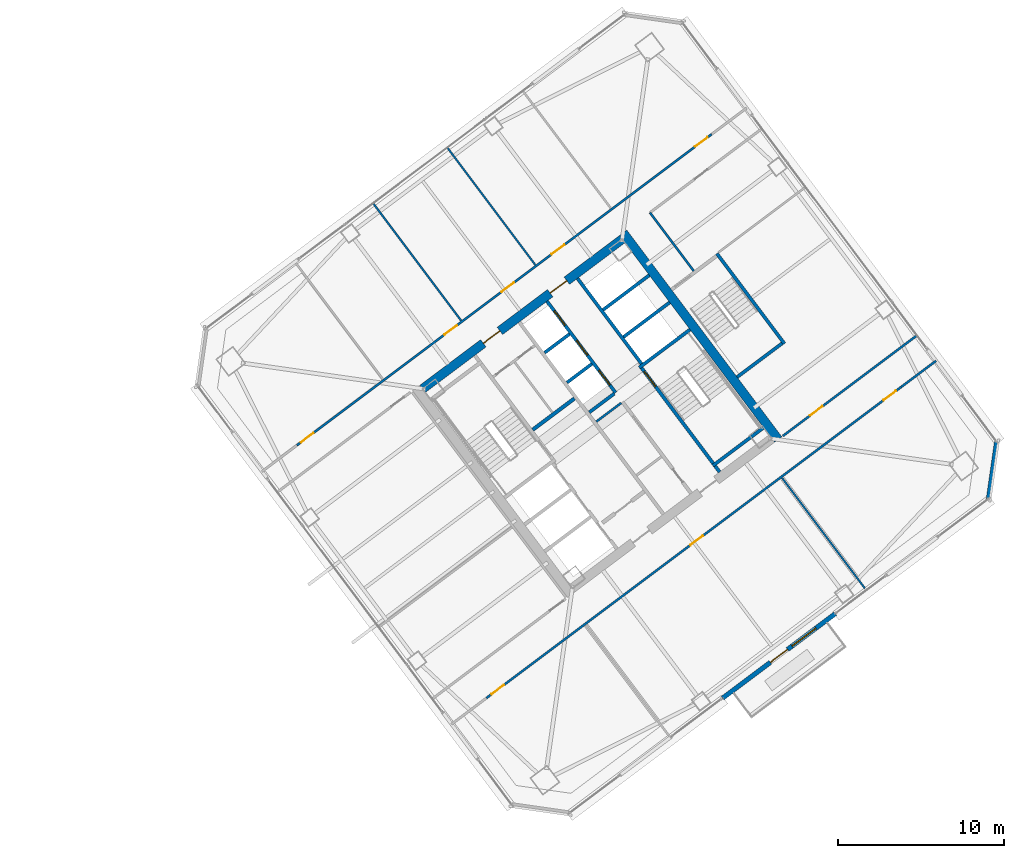
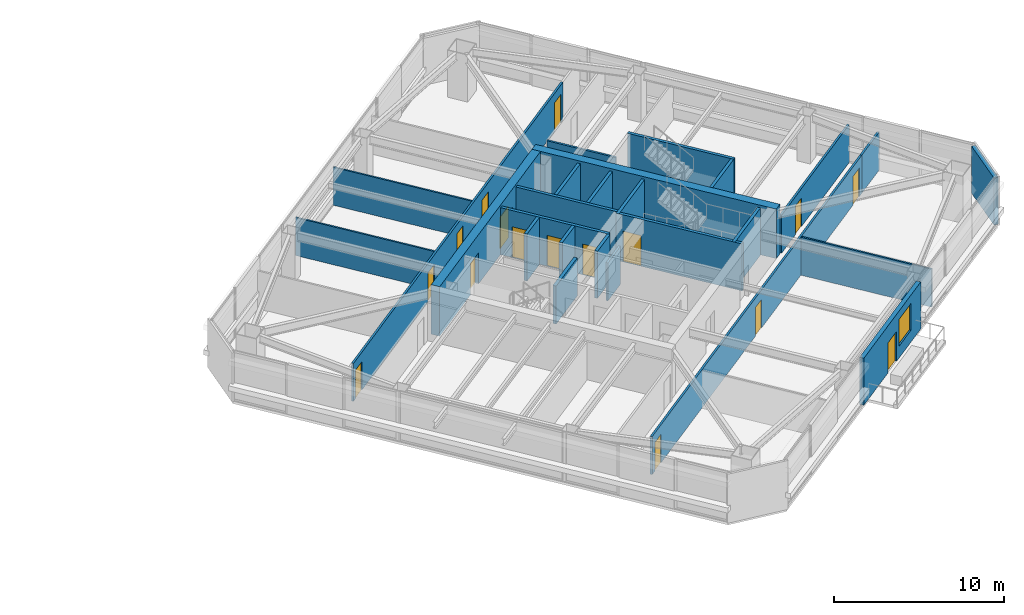
# One storey, part 39 of 46: 26 walls, 16 doors, 1 window, 17 openings.
"""IFC4 building model written with IfcOpenShell, lengths in metres."""

from ifc_helpers import new_model, si_unit, direction, frame, frame_2d, origin, place, context, subcontext, project, spatial, rectangle, extrude, material, layer, layer_set, type_object, element, fill, save


model = new_model("IFC4")

# Units and contexts
model_context = context("Model", 3, precision=1e-05, world=origin(), true_north=direction((0.0, 1.0)))
body_context = subcontext(model_context, "Body", "Model", "MODEL_VIEW")
ifc_project = project(units=[si_unit("LENGTHUNIT", "METRE"), si_unit("AREAUNIT", "SQUARE_METRE"), si_unit("VOLUMEUNIT", "CUBIC_METRE"), si_unit("PLANEANGLEUNIT", "RADIAN"), si_unit("MASSUNIT", "GRAM", prefix="KILO")], contexts=[model_context])

# Site, building, storey
site_placement = place(None, origin())
site = spatial("IfcSite", under=ifc_project, at=site_placement, CompositionType="ELEMENT")
building_placement = place(site_placement, origin())
building = spatial("IfcBuilding", under=site, at=building_placement, Name="Tashvorn Skyway Center", CompositionType="ELEMENT")
storey_placement = place(building_placement, frame((0.0, 0.0, 139.25)))
storey = spatial("IfcBuildingStorey", under=building, at=storey_placement, Name="L37", CompositionType="ELEMENT", Elevation=139.25)

# Wall
ifc_material_1 = material(Name="Concrete C60/75", Category="concrete")
ifc_layer_1 = layer(ifc_material_1, 0.550048828125)
ifc_layer_set_1 = layer_set([ifc_layer_1], Name="Concrete C60/75")
wall_type_1 = type_object("IfcWallType", Name="WALL-CORE-550", PredefinedType="SHEAR", material=ifc_layer_set_1)
wall_1_placement = place(storey_placement, frame((115.56396484375, 42.923095703125, 0.0), z_axis=(0.0, 0.0, 1.0), x_axis=(0.600005007985, -0.799996243986, 0.0)))
element("IfcWall", 1, at=wall_1_placement, inside=storey, type_object=wall_type_1, Name="Tower 2 L37 East Core Shear Wall", PredefinedType="SHEAR", context=body_context, shape_type="SweptSolid", body=[
    extrude(rectangle(XDim=15.60009765625, YDim=0.550048828125, at=frame_2d((7.800048828125, 0.0))), origin(), (0.0, 0.0, 1.0), 3.550048828125),
])

# Wall, openings, doors
wall_2_placement = place(storey_placement, frame((103.4609375, 33.501953125, 0.0), z_axis=(0.0, 0.0, 1.0), x_axis=(0.799998054672, 0.600002593761, 0.0)))
wall_2 = element("IfcWall", 2, at=wall_2_placement, inside=storey, type_object=wall_type_1, Name="Tower 2 L37 North Core Shear Wall", PredefinedType="SHEAR", context=body_context, shape_type="SweptSolid", body=[
    extrude(rectangle(XDim=15.06005859375, YDim=0.550048828125, at=frame_2d((7.530029296875, 0.0))), origin(), (0.0, 0.0, 1.0), 3.550048828125),
])
opening_1_placement = place(wall_2_placement, frame((4.580078125, 0.0, 0.0)))
opening_1 = element("IfcOpeningElement", 3, at=opening_1_placement, cuts=wall_2, Name="Opening D-FFL-1250", PredefinedType="OPENING", context=body_context, shape_type="SweptSolid", body=[
    extrude(rectangle(XDim=1.25, YDim=2.25, at=frame_2d((0.625, 1.125))), frame((0.0, 0.284912109375, 0.0), z_axis=(0.0, -1.0, 0.0), x_axis=(1.0, 0.0, 0.0)), (0.0, 0.0, 1.0), 0.570068359375),
])
opening_2_placement = place(wall_2_placement, frame((9.6298828125, 0.0, 0.0)))
opening_2 = element("IfcOpeningElement", 4, at=opening_2_placement, cuts=wall_2, Name="Opening D-FFL-1250", PredefinedType="OPENING", context=body_context, shape_type="SweptSolid", body=[
    extrude(rectangle(XDim=1.25, YDim=2.25, at=frame_2d((0.625, 1.125))), frame((0.0, 0.284912109375, 0.0), z_axis=(0.0, -1.0, 0.0), x_axis=(1.0, 0.0, 0.0)), (0.0, 0.0, 1.0), 0.570068359375),
])
ifc_material_2 = material(Name="Hollow galvanized steel fire door assembly", Category="steel")
door_type_1 = type_object("IfcDoorType", Name="DOOR-FFL-1250", OperationType="NOTDEFINED", PredefinedType="DOOR", material=ifc_material_2)
door_1_placement = place(opening_1_placement, origin())
door_1 = element("IfcDoor", 5, at=door_1_placement, inside=storey, type_object=door_type_1, Name="Tower 2 L37 Core North Service Lobby Door", OperationType="SINGLE_SWING_LEFT", OverallHeight=2.25, OverallWidth=1.25, PredefinedType="DOOR", context=body_context, shape_type="SweptSolid", body=[
    extrude(rectangle(XDim=1.25, YDim=2.25, at=frame_2d((0.625, 1.125))), frame((0.0, 0.02490234375, 0.0), z_axis=(0.0, -1.0, 0.0), x_axis=(1.0, 0.0, 0.0)), (0.0, 0.0, 1.0), 0.050048828125),
])
fill(opening_1, door_1)
door_2_placement = place(opening_2_placement, origin())
door_2 = element("IfcDoor", 6, at=door_2_placement, inside=storey, type_object=door_type_1, Name="Tower 2 L37 Core North Lift Lobby Door", OperationType="SINGLE_SWING_RIGHT", OverallHeight=2.25, OverallWidth=1.25, PredefinedType="DOOR", context=body_context, shape_type="SweptSolid", body=[
    extrude(rectangle(XDim=1.25, YDim=2.25, at=frame_2d((0.625, 1.125))), frame((0.0, 0.02490234375, 0.0), z_axis=(0.0, -1.0, 0.0), x_axis=(1.0, 0.0, 0.0)), (0.0, 0.0, 1.0), 0.050048828125),
])
fill(opening_2, door_2)

# Wall, openings, door, window
ifc_material_3 = material(Name="Precast concrete C40/50", Category="concrete")
ifc_layer_2 = layer(ifc_material_3, 0.280029296875)
ifc_layer_set_2 = layer_set([ifc_layer_2], Name="Precast concrete C40/50")
wall_type_2 = type_object("IfcWallType", Name="WALL-EXT-280", PredefinedType="SOLIDWALL", material=ifc_layer_set_2)
wall_3_placement = place(storey_placement, frame((128.367919921875, 19.926025390625, 0.0), z_axis=(0.0, 0.0, 1.0), x_axis=(-0.799986212866, -0.600018382406, 0.0)))
wall_3 = element("IfcWall", 7, at=wall_3_placement, inside=storey, type_object=wall_type_2, Name="Tower 2 L37 South Terrace Portal Wall", PredefinedType="SOLIDWALL", context=body_context, shape_type="SweptSolid", body=[
    extrude(rectangle(XDim=8.5, YDim=0.280029296875, at=frame_2d((4.25, 0.0))), origin(), (0.0, 0.0, 1.0), 3.3701171875),
])
opening_3_placement = place(wall_3_placement, frame((3.60009765625, 0.0, 0.0)))
opening_3 = element("IfcOpeningElement", 8, at=opening_3_placement, cuts=wall_3, Name="Opening D-TER-1300", PredefinedType="OPENING", context=body_context, shape_type="SweptSolid", body=[
    extrude(rectangle(XDim=1.300048828125, YDim=2.14990234375, at=frame_2d((0.64990234375, 1.074951171875))), frame((0.0, 0.14990234375, 0.0), z_axis=(0.0, -1.0, 0.0), x_axis=(1.0, 0.0, 0.0)), (0.0, 0.0, 1.0), 0.300048828125),
])
opening_4_placement = place(wall_3_placement, frame((1.4599609375, 0.0, 0.85009765625)))
opening_4 = element("IfcOpeningElement", 9, at=opening_4_placement, cuts=wall_3, Name="Opening WIN-1800", PredefinedType="OPENING", context=body_context, shape_type="SweptSolid", body=[
    extrude(rectangle(XDim=1.800048828125, YDim=1.919921875, at=frame_2d((0.89990234375, 0.9599609375))), frame((0.0, 0.14990234375, 0.0), z_axis=(0.0, -1.0, 0.0), x_axis=(1.0, 0.0, 0.0)), (0.0, 0.0, 1.0), 0.300048828125),
])
ifc_material_4 = material(Name="Thermally broken bronze-anodized aluminium 6063-T6", Category="aluminium")
door_type_2 = type_object("IfcDoorType", Name="DOOR-TERR-1300", OperationType="NOTDEFINED", PredefinedType="DOOR", material=ifc_material_4)
door_3_placement = place(opening_3_placement, origin())
door_3 = element("IfcDoor", 10, at=door_3_placement, inside=storey, type_object=door_type_2, Name="Tower 2 L37 Terrace Access Door", OperationType="SINGLE_SWING_RIGHT", OverallHeight=2.14990234375, OverallWidth=1.300048828125, PredefinedType="DOOR", context=body_context, shape_type="SweptSolid", body=[
    extrude(rectangle(XDim=1.300048828125, YDim=2.14990234375, at=frame_2d((0.64990234375, 1.074951171875))), frame((0.0, 0.02490234375, 0.0), z_axis=(0.0, -1.0, 0.0), x_axis=(1.0, 0.0, 0.0)), (0.0, 0.0, 1.0), 0.050048828125),
])
fill(opening_3, door_3)
ifc_material_5 = material(Name="Low-E solar-control double insulating safety glass", Category="glass")
window_type = type_object("IfcWindowType", Name="WIN-TERR-1800", PartitioningType="SINGLE_PANEL", PredefinedType="WINDOW", material=ifc_material_5)
window_placement = place(opening_4_placement, origin())
window = element("IfcWindow", 11, at=window_placement, inside=storey, type_object=window_type, Name="Tower 2 L37 Terrace Window", OverallHeight=1.919921875, OverallWidth=1.800048828125, PartitioningType="SINGLE_PANEL", PredefinedType="WINDOW", context=body_context, shape_type="SweptSolid", body=[
    extrude(rectangle(XDim=1.800048828125, YDim=1.919921875, at=frame_2d((0.89990234375, 0.9599609375))), frame((0.0, 0.030029296875, 0.0), z_axis=(0.0, -1.0, 0.0), x_axis=(1.0, 0.0, 0.0)), (0.0, 0.0, 1.0), 0.06005859375),
])
fill(opening_4, window)

# Walls
wall_4_placement = place(storey_placement, frame((138.1201171875, 30.340087890625, 0.0), z_axis=(0.0, 0.0, 1.0), x_axis=(-0.141421356237, -0.989949493661, 0.0)))
element("IfcWall", 12, at=wall_4_placement, inside=storey, type_object=wall_type_2, Name="Tower 2 L37 SE Precast Chamfer Wall", PredefinedType="SOLIDWALL", context=body_context, shape_type="SweptSolid", body=[
    extrude(rectangle(XDim=3.53564453125, YDim=0.280029296875, at=frame_2d((1.767822265625, 0.0))), origin(), (0.0, 0.0, 1.0), 3.3701171875),
])
ifc_material_6 = material(Name="Concrete C40/50", Category="concrete")
ifc_layer_3 = layer(ifc_material_6, 0.219970703125)
ifc_layer_set_3 = layer_set([ifc_layer_3], Name="Concrete C40/50")
wall_type_3 = type_object("IfcWallType", Name="WALL-FFL-220", PredefinedType="SOLIDWALL", material=ifc_layer_set_3)
wall_5_placement = place(storey_placement, frame((110.10400390625, 31.028076171875, 0.0), z_axis=(0.0, 0.0, 1.0), x_axis=(0.800018601094, 0.59997519774, 0.0)))
element("IfcWall", 13, at=wall_5_placement, inside=storey, type_object=wall_type_3, Name="Tower 2 L37 Firefighting Lobby North Wall", PredefinedType="SOLIDWALL", context=body_context, shape_type="SweptSolid", body=[
    extrude(rectangle(XDim=3.14990234375, YDim=0.219970703125, at=frame_2d((1.574951171875, 0.0))), origin(), (0.0, 0.0, 1.0), 2.722900390625),
])
ifc_material_7 = material(Name="Gypsum board on cold-formed steel stud framing", Category="steel")
ifc_layer_4 = layer(ifc_material_7, 0.110107421875)
ifc_layer_set_4 = layer_set([ifc_layer_4], Name="Gypsum board on cold-formed steel stud framing")
wall_type_4 = type_object("IfcWallType", Name="WALL-PART-110", PredefinedType="PARTITIONING", material=ifc_layer_set_4)
for number, where, z_axis, x_axis, name in (
    (14, (105.781982421875, 37.6240234375, 0.0), (0.0, 0.0, 1.0), (-0.6, 0.8, 0.0), "Tower 2 L37 North Suite Partition 2"),
    (15, (110.261962890625, 40.98388671875, 0.0), (0.0, 0.0, 1.0), (-0.6, 0.8, 0.0), "Tower 2 L37 North Suite Partition 3"),
):
    element("IfcWall", number, at=place(storey_placement, frame(where, z_axis=z_axis, x_axis=x_axis)), inside=storey, type_object=wall_type_4, Name=name, PredefinedType="PARTITIONING", context=body_context, shape_type="SweptSolid", body=[
        extrude(rectangle(XDim=8.85009765625, YDim=0.110107421875, at=frame_2d((4.425048828125, 0.0))), origin(), (0.0, 0.0, 1.0), 2.722900390625),
    ])
wall_6_placement = place(storey_placement, frame((130.157958984375, 21.4560546875, 0.0), z_axis=(0.0, 0.0, 1.0), x_axis=(-0.6, 0.8, 0.0)))
element("IfcWall", 16, at=wall_6_placement, inside=storey, type_object=wall_type_4, Name="Tower 2 L37 South Suite Partition 2", PredefinedType="PARTITIONING", context=body_context, shape_type="SweptSolid", body=[
    extrude(rectangle(XDim=8.330078125, YDim=0.110107421875, at=frame_2d((4.1650390625, 0.0))), origin(), (0.0, 0.0, 1.0), 2.722900390625),
])
ifc_layer_5 = layer(ifc_material_7, 0.135009765625)
ifc_layer_set_5 = layer_set([ifc_layer_5], Name="Gypsum board on cold-formed steel stud framing")
wall_type_5 = type_object("IfcWallType", Name="WALL-PART-135", PredefinedType="PARTITIONING", material=ifc_layer_set_5)
wall_7_placement = place(storey_placement, frame((119.823974609375, 40.617919921875, 0.0), z_axis=(0.0, 0.0, 1.0), x_axis=(-0.599982243973, 0.800013316712, 0.0)))
element("IfcWall", 17, at=wall_7_placement, inside=storey, type_object=wall_type_5, Name="Tower 2 L37 Stair 3 Access Corridor Wall", PredefinedType="PARTITIONING", context=body_context, shape_type="SweptSolid", body=[
    extrude(rectangle(XDim=4.39990234375, YDim=0.135009765625, at=frame_2d((2.199951171875, 0.0))), origin(), (0.0, 0.0, 1.0), 2.722900390625),
])

# Wall, openings, doors
wall_8_placement = place(storey_placement, frame((95.8701171875, 30.090087890625, 0.0), z_axis=(0.0, 0.0, 1.0), x_axis=(0.799997191971, 0.600003744021, 0.0)))
wall_8 = element("IfcWall", 18, at=wall_8_placement, inside=storey, type_object=wall_type_5, Name="Tower 2 L37 North Suite Wall", PredefinedType="PARTITIONING", context=body_context, shape_type="SweptSolid", body=[
    extrude(rectangle(XDim=31.2998046875, YDim=0.135009765625, at=frame_2d((15.64990234375, 0.0))), origin(), (0.0, 0.0, 1.0), 2.722900390625),
])
opening_5_placement = place(wall_8_placement, frame((0.300048828125, 0.0, 0.0)))
opening_5 = element("IfcOpeningElement", 19, at=opening_5_placement, cuts=wall_8, Name="Opening D-INT-950", PredefinedType="OPENING", context=body_context, shape_type="SweptSolid", body=[
    extrude(rectangle(XDim=0.949951171875, YDim=2.050048828125, at=frame_2d((0.47509765625, 1.02490234375))), frame((0.0, 0.077392578125, 0.0), z_axis=(0.0, -1.0, 0.0), x_axis=(1.0, 0.0, 0.0)), (0.0, 0.0, 1.0), 0.155029296875),
])
opening_6_placement = place(wall_8_placement, frame((11.1201171875, 0.0, 0.0)))
opening_6 = element("IfcOpeningElement", 20, at=opening_6_placement, cuts=wall_8, Name="Opening D-INT-950", PredefinedType="OPENING", context=body_context, shape_type="SweptSolid", body=[
    extrude(rectangle(XDim=0.949951171875, YDim=2.050048828125, at=frame_2d((0.47509765625, 1.02490234375))), frame((0.0, 0.077392578125, 0.0), z_axis=(0.0, -1.0, 0.0), x_axis=(1.0, 0.0, 0.0)), (0.0, 0.0, 1.0), 0.155029296875),
])
opening_7_placement = place(wall_8_placement, frame((15.42333984375, 0.0, 0.0)))
opening_7 = element("IfcOpeningElement", 21, at=opening_7_placement, cuts=wall_8, Name="Opening D-INT-950", PredefinedType="OPENING", context=body_context, shape_type="SweptSolid", body=[
    extrude(rectangle(XDim=0.949951171875, YDim=2.050048828125, at=frame_2d((0.47509765625, 1.02490234375))), frame((0.0, 0.077392578125, 0.0), z_axis=(0.0, -1.0, 0.0), x_axis=(1.0, 0.0, 0.0)), (0.0, 0.0, 1.0), 0.155029296875),
])
opening_8_placement = place(wall_8_placement, frame((19.22802734375, 0.0, 0.0)))
opening_8 = element("IfcOpeningElement", 22, at=opening_8_placement, cuts=wall_8, Name="Opening D-INT-950", PredefinedType="OPENING", context=body_context, shape_type="SweptSolid", body=[
    extrude(rectangle(XDim=0.949951171875, YDim=2.050048828125, at=frame_2d((0.47509765625, 1.02490234375))), frame((0.0, 0.077392578125, 0.0), z_axis=(0.0, -1.0, 0.0), x_axis=(1.0, 0.0, 0.0)), (0.0, 0.0, 1.0), 0.155029296875),
])
opening_9_placement = place(wall_8_placement, frame((30.050048828125, 0.0, 0.0)))
opening_9 = element("IfcOpeningElement", 23, at=opening_9_placement, cuts=wall_8, Name="Opening D-INT-950", PredefinedType="OPENING", context=body_context, shape_type="SweptSolid", body=[
    extrude(rectangle(XDim=0.949951171875, YDim=2.050048828125, at=frame_2d((0.47509765625, 1.02490234375))), frame((0.0, 0.077392578125, 0.0), z_axis=(0.0, -1.0, 0.0), x_axis=(1.0, 0.0, 0.0)), (0.0, 0.0, 1.0), 0.155029296875),
])
ifc_material_8 = material(Name="Solid-core architectural oak veneer door")
door_type_3 = type_object("IfcDoorType", Name="DOOR-INT-950", OperationType="NOTDEFINED", PredefinedType="DOOR", material=ifc_material_8)
door_4_placement = place(opening_5_placement, origin())
door_4 = element("IfcDoor", 24, at=door_4_placement, inside=storey, type_object=door_type_3, Name="Tower 2 L37 Research Library Door", OperationType="SINGLE_SWING_LEFT", OverallHeight=2.050048828125, OverallWidth=0.949951171875, PredefinedType="DOOR", context=body_context, shape_type="SweptSolid", body=[
    extrude(rectangle(XDim=0.949951171875, YDim=2.050048828125, at=frame_2d((0.47509765625, 1.02490234375))), frame((0.0, 0.02490234375, 0.0), z_axis=(0.0, -1.0, 0.0), x_axis=(1.0, 0.0, 0.0)), (0.0, 0.0, 1.0), 0.050048828125),
])
fill(opening_5, door_4)
door_5_placement = place(opening_6_placement, origin())
door_5 = element("IfcDoor", 25, at=door_5_placement, inside=storey, type_object=door_type_3, Name="Tower 2 L37 Research Library Door", OperationType="SINGLE_SWING_RIGHT", OverallHeight=2.050048828125, OverallWidth=0.949951171875, PredefinedType="DOOR", context=body_context, shape_type="SweptSolid", body=[
    extrude(rectangle(XDim=0.949951171875, YDim=2.050048828125, at=frame_2d((0.47509765625, 1.02490234375))), frame((0.0, 0.02490234375, 0.0), z_axis=(0.0, -1.0, 0.0), x_axis=(1.0, 0.0, 0.0)), (0.0, 0.0, 1.0), 0.050048828125),
])
fill(opening_6, door_5)
door_6_placement = place(opening_7_placement, origin())
door_6 = element("IfcDoor", 26, at=door_6_placement, inside=storey, type_object=door_type_3, Name="Tower 2 L37 Collaborative Studio Door", OperationType="SINGLE_SWING_LEFT", OverallHeight=2.050048828125, OverallWidth=0.949951171875, PredefinedType="DOOR", context=body_context, shape_type="SweptSolid", body=[
    extrude(rectangle(XDim=0.949951171875, YDim=2.050048828125, at=frame_2d((0.47509765625, 1.02490234375))), frame((0.0, 0.02490234375, 0.0), z_axis=(0.0, -1.0, 0.0), x_axis=(1.0, 0.0, 0.0)), (0.0, 0.0, 1.0), 0.050048828125),
])
fill(opening_7, door_6)
door_7_placement = place(opening_8_placement, origin())
door_7 = element("IfcDoor", 27, at=door_7_placement, inside=storey, type_object=door_type_3, Name="Tower 2 L37 Research Library Door", OperationType="SINGLE_SWING_RIGHT", OverallHeight=2.050048828125, OverallWidth=0.949951171875, PredefinedType="DOOR", context=body_context, shape_type="SweptSolid", body=[
    extrude(rectangle(XDim=0.949951171875, YDim=2.050048828125, at=frame_2d((0.47509765625, 1.02490234375))), frame((0.0, 0.02490234375, 0.0), z_axis=(0.0, -1.0, 0.0), x_axis=(1.0, 0.0, 0.0)), (0.0, 0.0, 1.0), 0.050048828125),
])
fill(opening_8, door_7)
door_8_placement = place(opening_9_placement, origin())
door_8 = element("IfcDoor", 28, at=door_8_placement, inside=storey, type_object=door_type_3, Name="Tower 2 L37 Research Library Door", OperationType="SINGLE_SWING_LEFT", OverallHeight=2.050048828125, OverallWidth=0.949951171875, PredefinedType="DOOR", context=body_context, shape_type="SweptSolid", body=[
    extrude(rectangle(XDim=0.949951171875, YDim=2.050048828125, at=frame_2d((0.47509765625, 1.02490234375))), frame((0.0, 0.02490234375, 0.0), z_axis=(0.0, -1.0, 0.0), x_axis=(1.0, 0.0, 0.0)), (0.0, 0.0, 1.0), 0.050048828125),
])
fill(opening_9, door_8)

wall_9_placement = place(storey_placement, frame((132.35205078125, 33.614013671875, 0.0), z_axis=(0.0, 0.0, 1.0), x_axis=(-0.8, -0.6, 0.0)))
wall_9 = element("IfcWall", 29, at=wall_9_placement, inside=storey, type_object=wall_type_5, Name="Tower 2 L37 South Suite Wall", PredefinedType="PARTITIONING", context=body_context, shape_type="SweptSolid", body=[
    extrude(rectangle(XDim=31.300048828125, YDim=0.135009765625, at=frame_2d((15.64990234375, 0.0))), origin(), (0.0, 0.0, 1.0), 2.722900390625),
])
opening_10_placement = place(wall_9_placement, frame((29.969970703125, 0.0, 0.0)))
opening_10 = element("IfcOpeningElement", 30, at=opening_10_placement, cuts=wall_9, Name="Opening D-INT-950", PredefinedType="OPENING", context=body_context, shape_type="SweptSolid", body=[
    extrude(rectangle(XDim=0.949951171875, YDim=2.050048828125, at=frame_2d((0.47509765625, 1.02490234375))), frame((0.0, 0.077392578125, 0.0), z_axis=(0.0, -1.0, 0.0), x_axis=(1.0, 0.0, 0.0)), (0.0, 0.0, 1.0), 0.155029296875),
])
opening_11_placement = place(wall_9_placement, frame((14.968017578125, 0.0, 0.0)))
opening_11 = element("IfcOpeningElement", 31, at=opening_11_placement, cuts=wall_9, Name="Opening D-INT-950", PredefinedType="OPENING", context=body_context, shape_type="SweptSolid", body=[
    extrude(rectangle(XDim=0.949951171875, YDim=2.050048828125, at=frame_2d((0.47509765625, 1.02490234375))), frame((0.0, 0.077392578125, 0.0), z_axis=(0.0, -1.0, 0.0), x_axis=(1.0, 0.0, 0.0)), (0.0, 0.0, 1.0), 0.155029296875),
])
opening_12_placement = place(wall_9_placement, frame((0.3798828125, 0.0, 0.0)))
opening_12 = element("IfcOpeningElement", 32, at=opening_12_placement, cuts=wall_9, Name="Opening D-INT-950", PredefinedType="OPENING", context=body_context, shape_type="SweptSolid", body=[
    extrude(rectangle(XDim=0.949951171875, YDim=2.050048828125, at=frame_2d((0.47509765625, 1.02490234375))), frame((0.0, 0.077392578125, 0.0), z_axis=(0.0, -1.0, 0.0), x_axis=(1.0, 0.0, 0.0)), (0.0, 0.0, 1.0), 0.155029296875),
])
door_9_placement = place(opening_10_placement, origin())
door_9 = element("IfcDoor", 33, at=door_9_placement, inside=storey, type_object=door_type_3, Name="Tower 2 L37 Research Library Door", OperationType="SINGLE_SWING_RIGHT", OverallHeight=2.050048828125, OverallWidth=0.949951171875, PredefinedType="DOOR", context=body_context, shape_type="SweptSolid", body=[
    extrude(rectangle(XDim=0.949951171875, YDim=2.050048828125, at=frame_2d((0.47509765625, 1.02490234375))), frame((0.0, 0.02490234375, 0.0), z_axis=(0.0, -1.0, 0.0), x_axis=(1.0, 0.0, 0.0)), (0.0, 0.0, 1.0), 0.050048828125),
])
fill(opening_10, door_9)
door_10_placement = place(opening_11_placement, origin())
door_10 = element("IfcDoor", 34, at=door_10_placement, inside=storey, type_object=door_type_3, Name="Tower 2 L37 Collaborative Studio Door", OperationType="SINGLE_SWING_LEFT", OverallHeight=2.050048828125, OverallWidth=0.949951171875, PredefinedType="DOOR", context=body_context, shape_type="SweptSolid", body=[
    extrude(rectangle(XDim=0.949951171875, YDim=2.050048828125, at=frame_2d((0.47509765625, 1.02490234375))), frame((0.0, 0.02490234375, 0.0), z_axis=(0.0, -1.0, 0.0), x_axis=(1.0, 0.0, 0.0)), (0.0, 0.0, 1.0), 0.050048828125),
])
fill(opening_11, door_10)
door_11_placement = place(opening_12_placement, origin())
door_11 = element("IfcDoor", 35, at=door_11_placement, inside=storey, type_object=door_type_3, Name="Tower 2 L37 Collaborative Studio Door", OperationType="SINGLE_SWING_RIGHT", OverallHeight=2.050048828125, OverallWidth=0.949951171875, PredefinedType="DOOR", context=body_context, shape_type="SweptSolid", body=[
    extrude(rectangle(XDim=0.949951171875, YDim=2.050048828125, at=frame_2d((0.47509765625, 1.02490234375))), frame((0.0, 0.02490234375, 0.0), z_axis=(0.0, -1.0, 0.0), x_axis=(1.0, 0.0, 0.0)), (0.0, 0.0, 1.0), 0.050048828125),
])
fill(opening_12, door_11)

# Wall
wall_10_placement = place(storey_placement, frame((132.35205078125, 33.614013671875, 0.0), z_axis=(0.0, 0.0, 1.0), x_axis=(0.80002227902, 0.599970293491, 0.0)))
element("IfcWall", 36, at=wall_10_placement, inside=storey, type_object=wall_type_5, Name="Tower 2 L37 South-East Suite North Wall", PredefinedType="PARTITIONING", context=body_context, shape_type="SweptSolid", body=[
    extrude(rectangle(XDim=2.6298828125, YDim=0.135009765625, at=frame_2d((1.31494140625, 0.0))), origin(), (0.0, 0.0, 1.0), 2.722900390625),
])

# Wall, opening, door
wall_11_placement = place(storey_placement, frame((125.2080078125, 30.656005859375, 0.0), z_axis=(0.0, 0.0, 1.0), x_axis=(0.799997105034, 0.600003859935, 0.0)))
wall_11 = element("IfcWall", 37, at=wall_11_placement, inside=storey, type_object=wall_type_5, Name="Tower 2 L37 East Suite South Wall", PredefinedType="PARTITIONING", context=body_context, shape_type="SweptSolid", body=[
    extrude(rectangle(XDim=10.119873046875, YDim=0.135009765625, at=frame_2d((5.06005859375, 0.0))), origin(), (0.0, 0.0, 1.0), 2.722900390625),
])
opening_13_placement = place(wall_11_placement, frame((2.044921875, 0.0, 0.0)))
opening_13 = element("IfcOpeningElement", 38, at=opening_13_placement, cuts=wall_11, Name="Opening D-INT-950", PredefinedType="OPENING", context=body_context, shape_type="SweptSolid", body=[
    extrude(rectangle(XDim=0.949951171875, YDim=2.050048828125, at=frame_2d((0.47509765625, 1.02490234375))), frame((0.0, 0.077392578125, 0.0), z_axis=(0.0, -1.0, 0.0), x_axis=(1.0, 0.0, 0.0)), (0.0, 0.0, 1.0), 0.155029296875),
])
door_12_placement = place(opening_13_placement, origin())
door_12 = element("IfcDoor", 39, at=door_12_placement, inside=storey, type_object=door_type_3, Name="Tower 2 L37 Public Restroom Door", OperationType="SINGLE_SWING_RIGHT", OverallHeight=2.050048828125, OverallWidth=0.949951171875, PredefinedType="DOOR", context=body_context, shape_type="SweptSolid", body=[
    extrude(rectangle(XDim=0.949951171875, YDim=2.050048828125, at=frame_2d((0.47509765625, 1.02490234375))), frame((0.0, 0.02490234375, 0.0), z_axis=(0.0, -1.0, 0.0), x_axis=(1.0, 0.0, 0.0)), (0.0, 0.0, 1.0), 0.050048828125),
])
fill(opening_13, door_12)

# Walls
ifc_layer_6 = layer(ifc_material_7, 0.135009765625)
ifc_layer_set_6 = layer_set([ifc_layer_6], Name="Gypsum board on cold-formed steel stud framing")
wall_type_6 = type_object("IfcWallType", Name="WALL-RATED-135", PredefinedType="PARTITIONING", material=ifc_layer_set_6)
wall_12_placement = place(storey_placement, frame((113.946044921875, 31.52197265625, 0.0), z_axis=(0.0, 0.0, 1.0), x_axis=(0.8, 0.6, 0.0)))
element("IfcWall", 40, at=wall_12_placement, inside=storey, type_object=wall_type_6, Name="Tower 2 L37 Core Room Partition", PredefinedType="PARTITIONING", context=body_context, shape_type="SweptSolid", body=[
    extrude(rectangle(XDim=1.8798828125, YDim=0.135009765625, at=frame_2d((0.93994140625, 0.0))), origin(), (0.0, 0.0, 1.0), 2.722900390625),
])
ifc_layer_7 = layer(ifc_material_6, 0.199951171875)
ifc_layer_set_7 = layer_set([ifc_layer_7], Name="Concrete C40/50")
wall_type_7 = type_object("IfcWallType", Name="WALL-SHAFT-200", PredefinedType="SOLIDWALL", material=ifc_layer_set_7)
for number, where, z_axis, x_axis, name in (
    (41, (115.590087890625, 36.6298828125, 0.0), (0.0, 0.0, 1.0), (0.799974743577, 0.600033673754, 0.0), "Tower 2 L37 High-Rise Shaft Divider"),
    (42, (114.360107421875, 38.27001953125, 0.0), (0.0, 0.0, 1.0), (0.800008418847, 0.599988774707, 0.0), "Tower 2 L37 High-Rise Shaft Divider"),
):
    element("IfcWall", number, at=place(storey_placement, frame(where, z_axis=z_axis, x_axis=x_axis)), inside=storey, type_object=wall_type_7, Name=name, PredefinedType="SOLIDWALL", context=body_context, shape_type="SweptSolid", body=[
        extrude(rectangle(XDim=3.47998046875, YDim=0.199951171875, at=frame_2d((1.739990234375, 0.0))), origin(), (0.0, 0.0, 1.0), 3.3701171875),
    ])

# Wall, openings, doors
wall_13_placement = place(storey_placement, frame((115.110107421875, 33.27001953125, 0.0), z_axis=(0.0, 0.0, 1.0), x_axis=(-0.600011322243, 0.799991508192, 0.0)))
wall_13 = element("IfcWall", 43, at=wall_13_placement, inside=storey, type_object=wall_type_7, Name="Tower 2 L37 Mid-Rise Core Wall", PredefinedType="SOLIDWALL", context=body_context, shape_type="SweptSolid", body=[
    extrude(rectangle(XDim=6.900146484375, YDim=0.199951171875, at=frame_2d((3.4501953125, 0.0))), origin(), (0.0, 0.0, 1.0), 3.3701171875),
])
opening_14_placement = place(wall_13_placement, frame((0.574951171875, 0.0, 0.0)))
opening_14 = element("IfcOpeningElement", 44, at=opening_14_placement, cuts=wall_13, Name="Opening LD-MR-T2-1-L37", PredefinedType="OPENING", context=body_context, shape_type="SweptSolid", body=[
    extrude(rectangle(XDim=1.10009765625, YDim=2.199951171875, at=frame_2d((0.550048828125, 1.10009765625))), frame((0.0, 0.10986328125, 0.0), z_axis=(0.0, -1.0, 0.0), x_axis=(1.0, 0.0, 0.0)), (0.0, 0.0, 1.0), 0.219970703125),
])
opening_15_placement = place(wall_13_placement, frame((2.824951171875, 0.0, 0.0)))
opening_15 = element("IfcOpeningElement", 45, at=opening_15_placement, cuts=wall_13, Name="Opening LD-MR-T2-2-L37", PredefinedType="OPENING", context=body_context, shape_type="SweptSolid", body=[
    extrude(rectangle(XDim=1.10009765625, YDim=2.199951171875, at=frame_2d((0.550048828125, 1.10009765625))), frame((0.0, 0.10986328125, 0.0), z_axis=(0.0, -1.0, 0.0), x_axis=(1.0, 0.0, 0.0)), (0.0, 0.0, 1.0), 0.219970703125),
])
opening_16_placement = place(wall_13_placement, frame((5.074951171875, 0.0, 0.0)))
opening_16 = element("IfcOpeningElement", 46, at=opening_16_placement, cuts=wall_13, Name="Opening LD-MR-T2-3-L37", PredefinedType="OPENING", context=body_context, shape_type="SweptSolid", body=[
    extrude(rectangle(XDim=1.10009765625, YDim=2.199951171875, at=frame_2d((0.550048828125, 1.10009765625))), frame((0.0, 0.10986328125, 0.0), z_axis=(0.0, -1.0, 0.0), x_axis=(1.0, 0.0, 0.0)), (0.0, 0.0, 1.0), 0.219970703125),
])
ifc_material_9 = material(Name="Stainless steel landing door", Category="steel")
door_type_4 = type_object("IfcDoorType", Name="DOOR-LIFT-1100", OperationType="SLIDING_TO_LEFT", PredefinedType="DOOR", material=ifc_material_9)
door_13_placement = place(opening_14_placement, origin())
door_13 = element("IfcDoor", 47, at=door_13_placement, inside=storey, type_object=door_type_4, Name="Lift MR-T2-1 L37 Landing Door", OperationType="SLIDING_TO_LEFT", OverallHeight=2.199951171875, OverallWidth=1.10009765625, PredefinedType="DOOR", context=body_context, shape_type="SweptSolid", body=[
    extrude(rectangle(XDim=1.10009765625, YDim=2.199951171875, at=frame_2d((0.550048828125, 1.10009765625))), frame((0.0, 0.02490234375, 0.0), z_axis=(0.0, -1.0, 0.0), x_axis=(1.0, 0.0, 0.0)), (0.0, 0.0, 1.0), 0.050048828125),
])
fill(opening_14, door_13)
door_14_placement = place(opening_15_placement, origin())
door_14 = element("IfcDoor", 48, at=door_14_placement, inside=storey, type_object=door_type_4, Name="Lift MR-T2-2 L37 Landing Door", OperationType="SLIDING_TO_LEFT", OverallHeight=2.199951171875, OverallWidth=1.10009765625, PredefinedType="DOOR", context=body_context, shape_type="SweptSolid", body=[
    extrude(rectangle(XDim=1.10009765625, YDim=2.199951171875, at=frame_2d((0.550048828125, 1.10009765625))), frame((0.0, 0.02490234375, 0.0), z_axis=(0.0, -1.0, 0.0), x_axis=(1.0, 0.0, 0.0)), (0.0, 0.0, 1.0), 0.050048828125),
])
fill(opening_15, door_14)
door_15_placement = place(opening_16_placement, origin())
door_15 = element("IfcDoor", 49, at=door_15_placement, inside=storey, type_object=door_type_4, Name="Lift MR-T2-3 L37 Landing Door", OperationType="SLIDING_TO_LEFT", OverallHeight=2.199951171875, OverallWidth=1.10009765625, PredefinedType="DOOR", context=body_context, shape_type="SweptSolid", body=[
    extrude(rectangle(XDim=1.10009765625, YDim=2.199951171875, at=frame_2d((0.550048828125, 1.10009765625))), frame((0.0, 0.02490234375, 0.0), z_axis=(0.0, -1.0, 0.0), x_axis=(1.0, 0.0, 0.0)), (0.0, 0.0, 1.0), 0.050048828125),
])
fill(opening_16, door_15)

# Walls
wall_14_placement = place(storey_placement, frame((113.52587890625, 32.08203125, 0.0), z_axis=(0.0, 0.0, 1.0), x_axis=(0.800046745961, 0.599937666993, 0.0)))
element("IfcWall", 50, at=wall_14_placement, inside=storey, type_object=wall_type_7, Name="Tower 2 L37 Mid-Rise Shaft Divider", PredefinedType="SOLIDWALL", context=body_context, shape_type="SweptSolid", body=[
    extrude(rectangle(XDim=1.880126953125, YDim=0.199951171875, at=frame_2d((0.93994140625, 0.0))), origin(), (0.0, 0.0, 1.0), 3.3701171875),
])
wall_15_placement = place(storey_placement, frame((112.176025390625, 33.882080078125, 0.0), z_axis=(0.0, 0.0, 1.0), x_axis=(0.8, 0.6, 0.0)))
element("IfcWall", 51, at=wall_15_placement, inside=storey, type_object=wall_type_7, Name="Tower 2 L37 Mid-Rise Shaft Divider", PredefinedType="SOLIDWALL", context=body_context, shape_type="SweptSolid", body=[
    extrude(rectangle(XDim=1.8798828125, YDim=0.199951171875, at=frame_2d((0.93994140625, 0.0))), origin(), (0.0, 0.0, 1.0), 3.3701171875),
])
wall_16_placement = place(storey_placement, frame((110.825927734375, 35.681884765625, 0.0), z_axis=(0.0, 0.0, 1.0), x_axis=(0.799984418148, 0.600020775241, 0.0)))
element("IfcWall", 52, at=wall_16_placement, inside=storey, type_object=wall_type_7, Name="Tower 2 L37 Mid-Rise Shaft Divider", PredefinedType="SOLIDWALL", context=body_context, shape_type="SweptSolid", body=[
    extrude(rectangle(XDim=1.880126953125, YDim=0.199951171875, at=frame_2d((0.93994140625, 0.0))), origin(), (0.0, 0.0, 1.0), 3.3701171875),
])

# Wall, opening, door
ifc_layer_8 = layer(ifc_material_6, 0.199951171875)
ifc_layer_set_8 = layer_set([ifc_layer_8], Name="Concrete C40/50")
wall_type_8 = type_object("IfcWallType", Name="WALL-STSHF-200", PredefinedType="SHEAR", material=ifc_layer_set_8)
wall_17_placement = place(storey_placement, frame((116.56005859375, 34.919921875, 0.0), z_axis=(0.0, 0.0, 1.0), x_axis=(0.59999029481, -0.8000072788, 0.0)))
wall_17 = element("IfcWall", 53, at=wall_17_placement, inside=storey, type_object=wall_type_8, Name="Tower 2 L37 Stair 2 Enclosure Wall", PredefinedType="SHEAR", context=body_context, shape_type="SweptSolid", body=[
    extrude(rectangle(XDim=8.0498046875, YDim=0.199951171875, at=frame_2d((4.02490234375, 0.0))), origin(), (0.0, 0.0, 1.0), 3.3701171875),
])
opening_17_placement = place(wall_17_placement, frame((0.449951171875, 0.0, 0.0)))
opening_17 = element("IfcOpeningElement", 54, at=opening_17_placement, cuts=wall_17, Name="Opening D-ST-1150", PredefinedType="OPENING", context=body_context, shape_type="SweptSolid", body=[
    extrude(rectangle(XDim=1.14990234375, YDim=2.199951171875, at=frame_2d((0.574951171875, 1.10009765625))), frame((0.0, 0.10986328125, 0.0), z_axis=(0.0, -1.0, 0.0), x_axis=(1.0, 0.0, 0.0)), (0.0, 0.0, 1.0), 0.219970703125),
])
door_type_5 = type_object("IfcDoorType", Name="DOOR-STAIR-1150", OperationType="NOTDEFINED", PredefinedType="DOOR", material=ifc_material_2)
door_16_placement = place(opening_17_placement, origin())
door_16 = element("IfcDoor", 55, at=door_16_placement, inside=storey, type_object=door_type_5, Name="Tower 2 L37 Exit Stair 2 Door", OperationType="SINGLE_SWING_RIGHT", OverallHeight=2.199951171875, OverallWidth=1.14990234375, PredefinedType="DOOR", context=body_context, shape_type="SweptSolid", body=[
    extrude(rectangle(XDim=1.14990234375, YDim=2.199951171875, at=frame_2d((0.574951171875, 1.10009765625))), frame((0.0, 0.02490234375, 0.0), z_axis=(0.0, -1.0, 0.0), x_axis=(1.0, 0.0, 0.0)), (0.0, 0.0, 1.0), 0.050048828125),
])
fill(opening_17, door_16)

# Walls
for number, where, z_axis, x_axis, name in (
    (56, (116.5400390625, 34.780029296875, 0.0), (0.0, 0.0, 1.0), (0.800015298837, 0.599979601008, 0.0), "Tower 2 L37 Stair 2 North Wall"),
    (57, (120.97998046875, 28.860107421875, 0.0), (0.0, 0.0, 1.0), (0.800015298837, 0.599979601008, 0.0), "Tower 2 L37 Stair 2 South Wall"),
):
    element("IfcWall", number, at=place(storey_placement, frame(where, z_axis=z_axis, x_axis=x_axis)), inside=storey, type_object=wall_type_8, Name=name, PredefinedType="SHEAR", context=body_context, shape_type="SweptSolid", body=[
        extrude(rectangle(XDim=3.829833984375, YDim=0.199951171875, at=frame_2d((1.9150390625, 0.0))), origin(), (0.0, 0.0, 1.0), 3.3701171875),
    ])
wall_18_placement = place(storey_placement, frame((112.81005859375, 40.169921875, 0.0), z_axis=(0.0, 0.0, 1.0), x_axis=(0.599993943644, -0.800004542231, 0.0)))
element("IfcWall", 58, at=wall_18_placement, inside=storey, type_object=wall_type_8, Name="Tower 2 L37 High-Rise Lift Shaft Front Wall", PredefinedType="SHEAR", context=body_context, shape_type="SweptSolid", body=[
    extrude(rectangle(XDim=6.449951171875, YDim=0.199951171875, at=frame_2d((3.22509765625, 0.0))), origin(), (0.0, 0.0, 1.0), 3.3701171875),
])
wall_19_placement = place(storey_placement, frame((125.303955078125, 36.22802734375, 0.0), z_axis=(0.0, 0.0, 1.0), x_axis=(-0.59998851072, 0.800008616831, 0.0)))
element("IfcWall", 59, at=wall_19_placement, inside=storey, type_object=wall_type_8, Name="Tower 2 L37 Stair 3 Outer Wall", PredefinedType="SHEAR", context=body_context, shape_type="SweptSolid", body=[
    extrude(rectangle(XDim=6.7998046875, YDim=0.199951171875, at=frame_2d((3.39990234375, 0.0))), origin(), (0.0, 0.0, 1.0), 3.3701171875),
])
wall_20_placement = place(storey_placement, frame((122.444091796875, 34.2080078125, 0.0), z_axis=(0.0, 0.0, 1.0), x_axis=(0.79999138319, 0.600011488909, 0.0)))
element("IfcWall", 60, at=wall_20_placement, inside=storey, type_object=wall_type_8, Name="Tower 2 L37 Stair 3 South Wall", PredefinedType="SHEAR", context=body_context, shape_type="SweptSolid", body=[
    extrude(rectangle(XDim=3.39990234375, YDim=0.199951171875, at=frame_2d((1.699951171875, 0.0))), origin(), (0.0, 0.0, 1.0), 3.3701171875),
])

save(model, "model.ifc")
